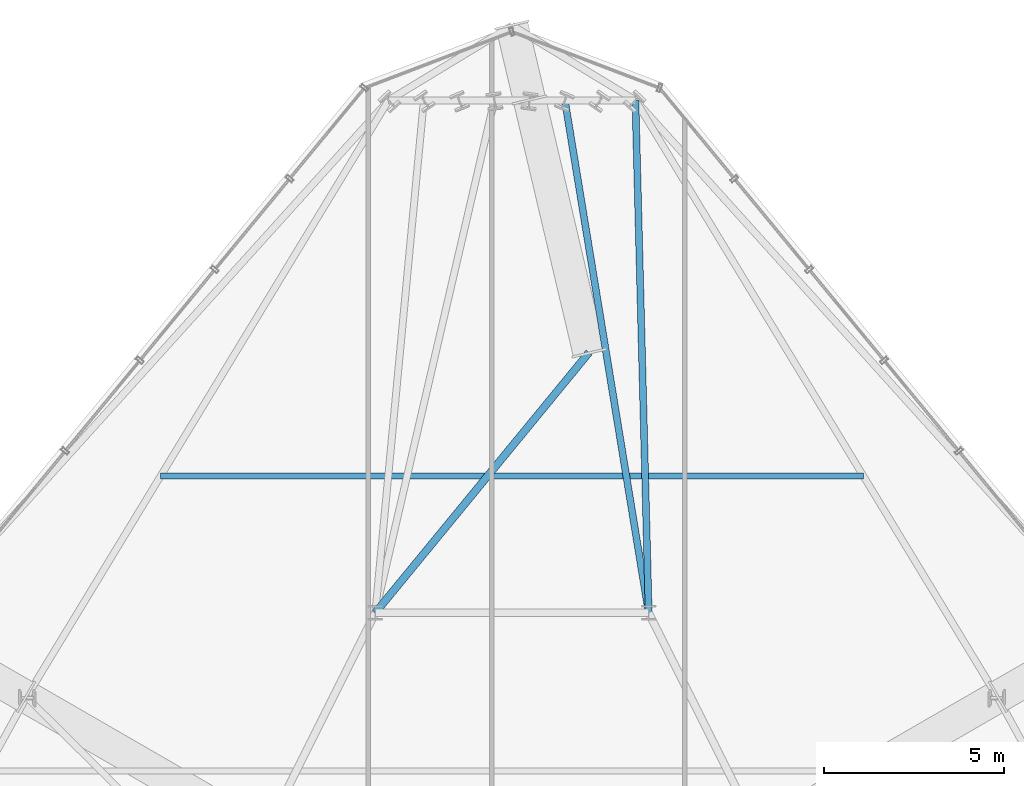
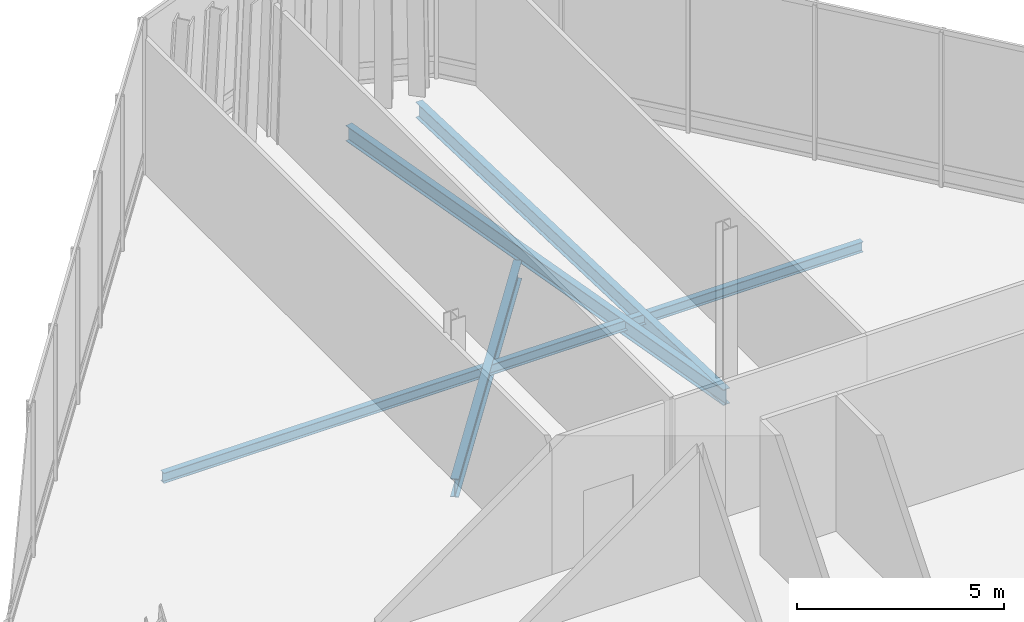
# One storey, part 17 of 28: 4 beams.
"""IFC4 building model written with IfcOpenShell, lengths in metres."""

from ifc_helpers import new_model, si_unit, direction, frame, origin, origin_2d, place, context, subcontext, project, spatial, i_section, extrude, material, material_profile, profile_set, type_object, element, save


model = new_model("IFC4")

# Units and contexts
model_context = context("Model", 3, precision=1e-05, world=origin(), true_north=direction((0.0, 1.0)))
body_context = subcontext(model_context, "Body", "Model", "MODEL_VIEW")
ifc_project = project(units=[si_unit("LENGTHUNIT", "METRE"), si_unit("AREAUNIT", "SQUARE_METRE"), si_unit("VOLUMEUNIT", "CUBIC_METRE"), si_unit("PLANEANGLEUNIT", "RADIAN"), si_unit("MASSUNIT", "GRAM", prefix="KILO")], contexts=[model_context])

# Site, building, storey
site_placement = place(None, origin())
site = spatial("IfcSite", under=ifc_project, at=site_placement, CompositionType="ELEMENT")
building_placement = place(site_placement, origin())
building = spatial("IfcBuilding", under=site, at=building_placement, Name="Ndaravel Arena Tower", CompositionType="ELEMENT")
storey_placement = place(building_placement, frame((0.0, 0.0, 213.199951171875)))
storey = spatial("IfcBuildingStorey", under=building, at=storey_placement, Name="L51", CompositionType="ELEMENT", Elevation=213.199951171875)

# Beams
ifc_material_1 = material(Name="Steel S355", Category="steel")
ifc_material_profile_1 = material_profile(ifc_material_1, i_section(OverallWidth=0.19140625, OverallDepth=0.4599609375, WebThickness=0.010009765625, FlangeThickness=0.01611328125, FilletRadius=0.01025390625, at=origin_2d()), Name="UB 457x191x82")
ifc_profile_set_1 = profile_set([ifc_material_profile_1], Name="Steel S355")
beam_type_1 = type_object("IfcBeamType", Name="BM-GIRD-UB457", PredefinedType="BEAM", material=ifc_profile_set_1)
beam_1_placement = place(storey_placement, frame((45.431396484375, 45.44482421875, -0.510009765625), z_axis=(0.025870988874, -0.999665289952, 0.0), x_axis=(0.999665289952, 0.025870988874, 0.0)))
element("IfcBeam", 1, at=beam_1_placement, inside=storey, type_object=beam_type_1, Name="L51 Radial Floor Girder FG-11", PredefinedType="BEAM", context=body_context, shape_type="SweptSolid", body=[
    extrude(i_section(OverallWidth=0.19140625, OverallDepth=0.4599609375, WebThickness=0.010009765625, FlangeThickness=0.01611328125, FilletRadius=0.01025390625, at=origin_2d()), origin(), (0.0, 0.0, 1.0), 14.249755859375),
])
beam_2_placement = place(storey_placement, frame((43.470703125, 45.44482421875, -0.510009765625), z_axis=(0.161378347099, -0.986892612743, 0.0), x_axis=(0.986892612743, 0.161378347099, 0.0)))
element("IfcBeam", 2, at=beam_2_placement, inside=storey, type_object=beam_type_1, Name="L51 Radial Floor Girder FG-13", PredefinedType="BEAM", context=body_context, shape_type="SweptSolid", body=[
    extrude(i_section(OverallWidth=0.19140625, OverallDepth=0.4599609375, WebThickness=0.010009765625, FlangeThickness=0.01611328125, FilletRadius=0.01025390625, at=origin_2d()), origin(), (0.0, 0.0, 1.0), 14.43408203125),
])
ifc_material_2 = material(Name="Steel S355", Category="steel")
ifc_material_profile_2 = material_profile(ifc_material_2, i_section(OverallWidth=0.210693359375, OverallDepth=0.53955078125, WebThickness=0.01171875, FlangeThickness=0.018798828125, FilletRadius=0.0126953125, at=origin_2d()), Name="UB 533x210x109")
ifc_profile_set_2 = profile_set([ifc_material_profile_2], Name="Steel S355")
beam_type_2 = type_object("IfcBeamType", Name="BM-GIRD-UB533", PredefinedType="BEAM", material=ifc_profile_set_2)
beam_3_placement = place(storey_placement, frame((44.141845703125, 38.436767578125, -0.5498046875), z_axis=(-0.634571490889, -0.7728641685, 0.0), x_axis=(0.7728641685, -0.634571490889, 0.0)))
element("IfcBeam", 3, at=beam_3_placement, inside=storey, type_object=beam_type_2, Name="L51 Star Backspan Anchor Tie SAT2-5", PredefinedType="BEAM", context=body_context, shape_type="SweptSolid", body=[
    extrude(i_section(OverallWidth=0.210693359375, OverallDepth=0.53955078125, WebThickness=0.01171875, FlangeThickness=0.018798828125, FilletRadius=0.0126953125, at=origin_2d()), origin(), (0.0, 0.0, 1.0), 9.363525390625),
])
ifc_material_3 = material(Name="Steel S355", Category="steel")
ifc_material_profile_3 = material_profile(ifc_material_3, i_section(OverallWidth=0.165771484375, OverallDepth=0.306640625, WebThickness=0.006591796875, FlangeThickness=0.01171875, FilletRadius=0.0087890625, at=origin_2d()), Name="UB 305x165x46")
ifc_profile_set_3 = profile_set([ifc_material_profile_3], Name="Steel S355")
beam_type_3 = type_object("IfcBeamType", Name="BM-JOIST-UB305", PredefinedType="JOIST", material=ifc_profile_set_3)
beam_4_placement = place(storey_placement, frame((32.2294921875, 35.0, -0.433349609375), z_axis=(1.0, 0.0, 0.0), x_axis=(0.0, 1.0, 0.0)))
element("IfcBeam", 4, at=beam_4_placement, inside=storey, type_object=beam_type_3, Name="L51 Composite Floor Joist FJ-03", PredefinedType="JOIST", context=body_context, shape_type="SweptSolid", body=[
    extrude(i_section(OverallWidth=0.165771484375, OverallDepth=0.306640625, WebThickness=0.006591796875, FlangeThickness=0.01171875, FilletRadius=0.0087890625, at=origin_2d()), origin(), (0.0, 0.0, 1.0), 19.541015625),
])

save(model, "model.ifc")
